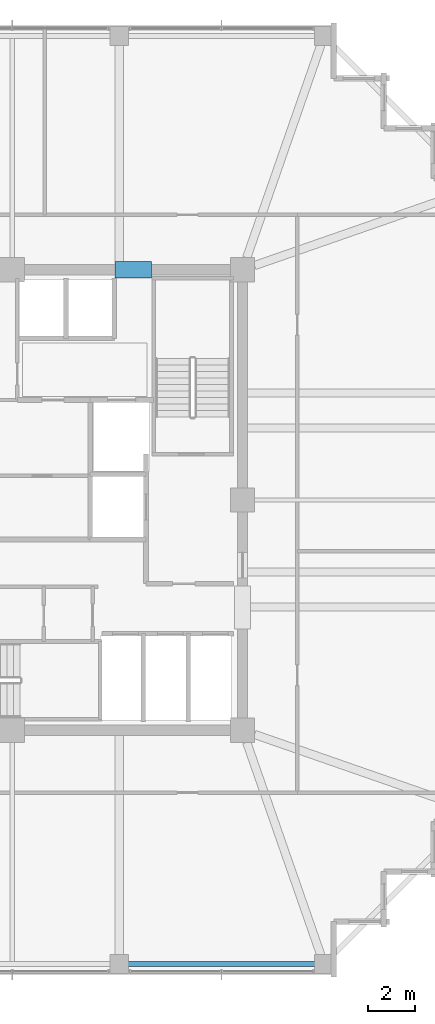
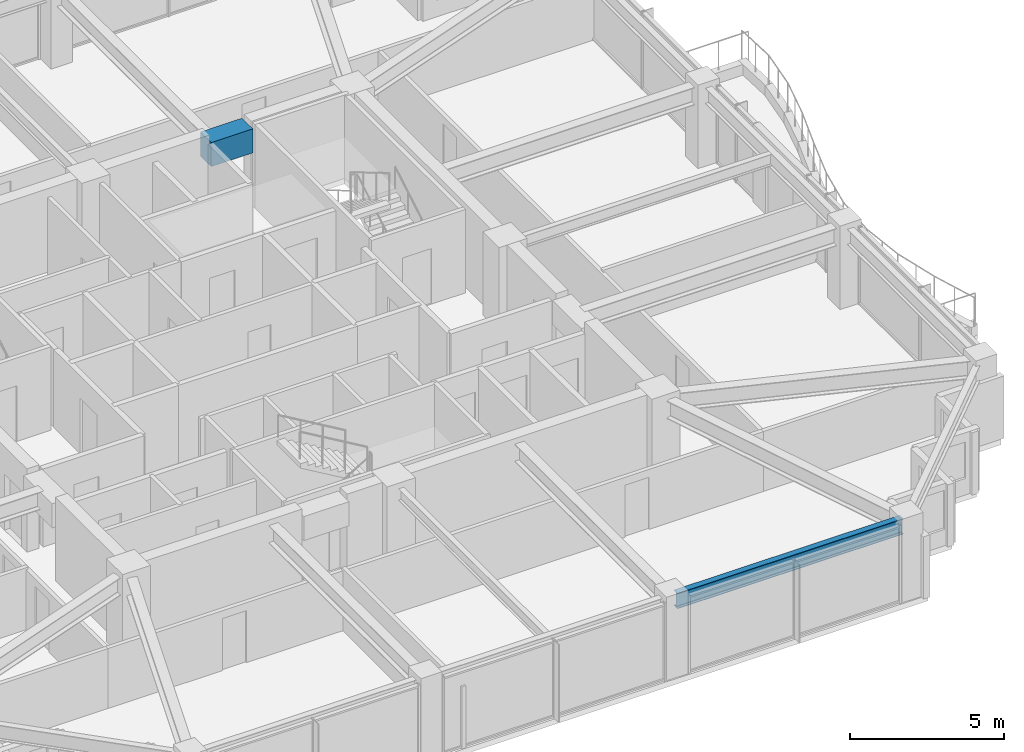
# One storey, part 9 of 34: 2 beams.
"""IFC4 building model written with IfcOpenShell, lengths in metres."""

from ifc_helpers import new_model, si_unit, direction, frame, origin, origin_2d, place, context, subcontext, project, spatial, rectangle, i_section, extrude, material, material_profile, profile_set, type_object, element, save


model = new_model("IFC4")

# Units and contexts
model_context = context("Model", 3, precision=1e-05, world=origin(), true_north=direction((0.0, 1.0)))
body_context = subcontext(model_context, "Body", "Model", "MODEL_VIEW")
ifc_project = project(units=[si_unit("LENGTHUNIT", "METRE"), si_unit("AREAUNIT", "SQUARE_METRE"), si_unit("VOLUMEUNIT", "CUBIC_METRE"), si_unit("PLANEANGLEUNIT", "RADIAN"), si_unit("MASSUNIT", "GRAM", prefix="KILO")], contexts=[model_context])

# Site, building, storey
site_placement = place(None, origin())
site = spatial("IfcSite", under=ifc_project, at=site_placement, CompositionType="ELEMENT")
building_placement = place(site_placement, origin())
building = spatial("IfcBuilding", under=site, at=building_placement, Name="Kolvaren Belvedere", CompositionType="ELEMENT")
storey_placement = place(building_placement, frame((0.0, 0.0, 222.89990234375)))
storey = spatial("IfcBuildingStorey", under=building, at=storey_placement, Name="L65", CompositionType="ELEMENT", Elevation=222.89990234375)

# Beams
ifc_material_1 = material(Name="Concrete C60/75", Category="concrete")
ifc_material_profile_1 = material_profile(ifc_material_1, rectangle(XDim=0.699951171875, YDim=0.949951171875, at=origin_2d()), Name="RC 700X950")
ifc_profile_set_1 = profile_set([ifc_material_profile_1], Name="Concrete C60/75")
beam_type_1 = type_object("IfcBeamType", Name="BM-LINT-950", PredefinedType="LINTEL", material=ifc_profile_set_1)
beam_1_placement = place(storey_placement, frame((4.419921875, 9.89990234375, 2.60498046875), z_axis=(1.0, 0.0, 0.0), x_axis=(0.0, 1.0, 0.0)))
element("IfcBeam", 1, at=beam_1_placement, inside=storey, type_object=beam_type_1, Name="L65 North Core Coupling Lintel", PredefinedType="LINTEL", context=body_context, shape_type="SweptSolid", body=[
    extrude(rectangle(XDim=0.699951171875, YDim=0.949951171875, at=origin_2d()), origin(), (0.0, 0.0, 1.0), 1.56005859375),
])
ifc_material_2 = material(Name="Structural steel ASTM A992 Grade 50", Category="steel")
ifc_material_profile_2 = material_profile(ifc_material_2, i_section(OverallWidth=0.22900390625, OverallDepth=0.612060546875, WebThickness=0.011962890625, FlangeThickness=0.01953125, FilletRadius=0.01806640625, at=origin_2d()), Name="W24X84")
ifc_profile_set_2 = profile_set([ifc_material_profile_2], Name="Structural steel ASTM A992 Grade 50")
beam_type_2 = type_object("IfcBeamType", Name="BM-SPAN-W24X84", PredefinedType="SPANDREL", material=ifc_profile_set_2)
beam_2_placement = place(storey_placement, frame((4.780029296875, -19.949951171875, 2.774169921875), z_axis=(1.0, 0.0, 0.0), x_axis=(0.0, 1.0, 0.0)))
element("IfcBeam", 2, at=beam_2_placement, inside=storey, type_object=beam_type_2, Name="L65 Perimeter Spandrel S3-S4", PredefinedType="SPANDREL", context=body_context, shape_type="SweptSolid", body=[
    extrude(i_section(OverallWidth=0.22900390625, OverallDepth=0.612060546875, WebThickness=0.011962890625, FlangeThickness=0.01953125, FilletRadius=0.01806640625, at=origin_2d()), origin(), (0.0, 0.0, 1.0), 8.43994140625),
])

save(model, "model.ifc")
